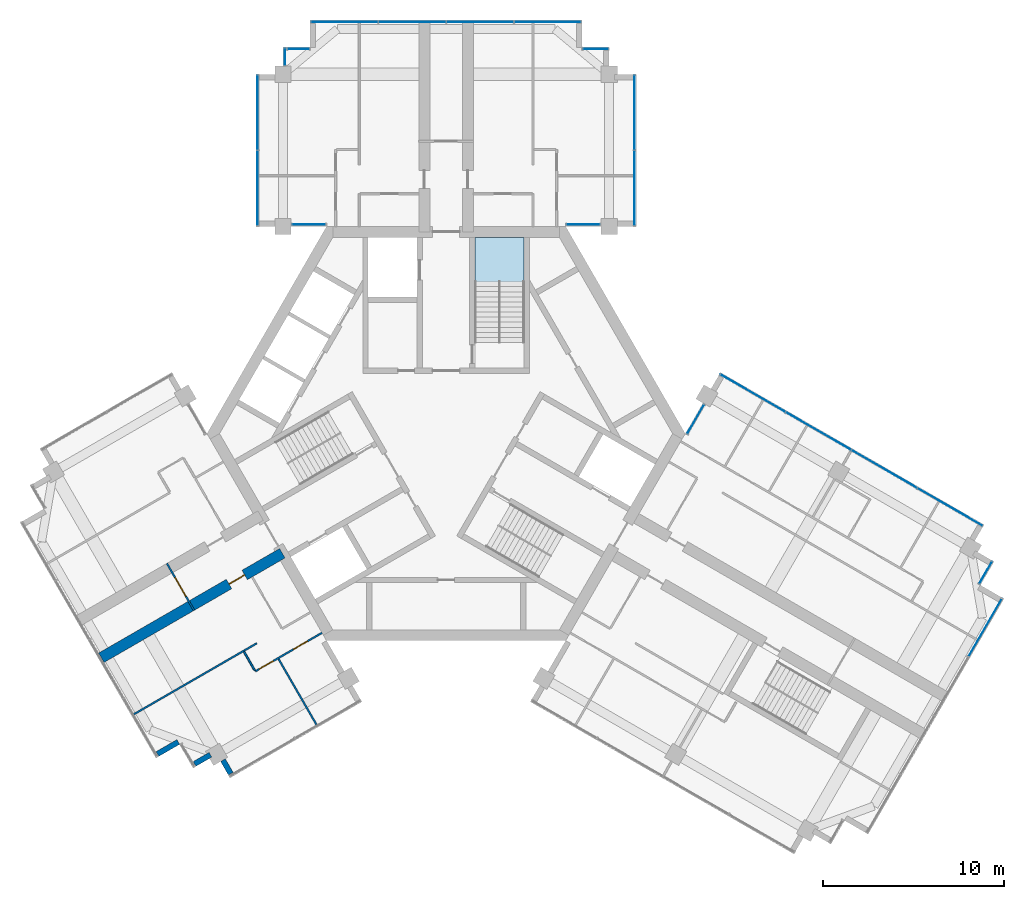
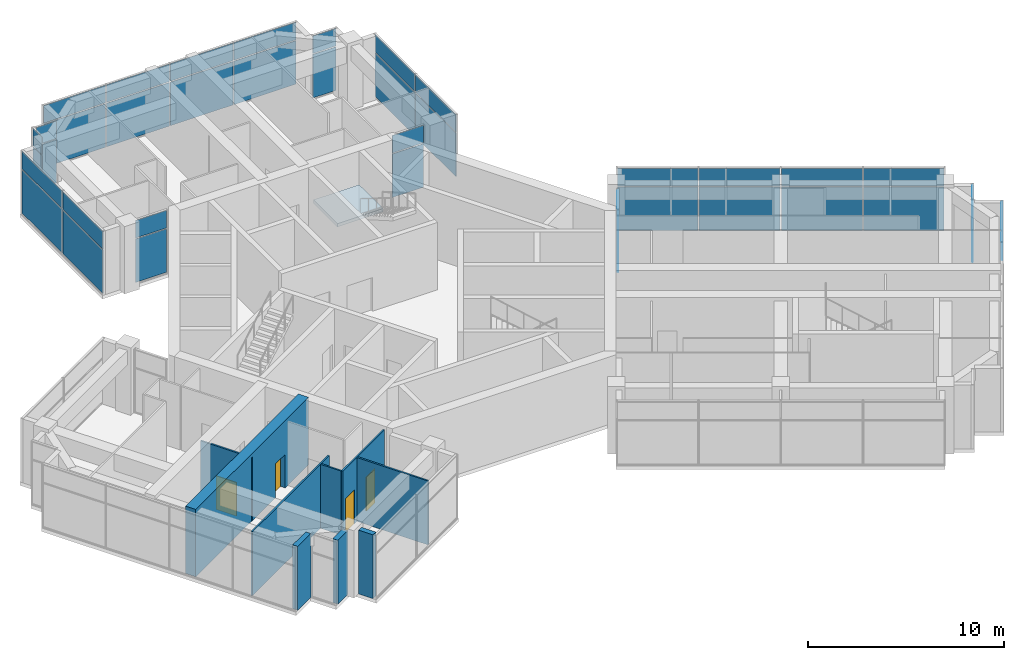
# One storey, part 8 of 13: 39 plates, 9 walls, 4 doors, 1 slab, 4 openings, 13 elements without a shape of their own.
"""IFC4 building model written with IfcOpenShell, lengths in metres."""

from ifc_helpers import new_model, si_unit, direction, frame, frame_2d, origin, origin_2d, place, context, subcontext, project, spatial, polyline, rectangle, outline, extrude, material, layer, layer_set, type_object, element, fill, aggregate, save


model = new_model("IFC4")

# Units and contexts
model_context = context("Model", 3, precision=1e-05, world=origin(), true_north=direction((0.0, 1.0)))
body_context = subcontext(model_context, "Body", "Model", "MODEL_VIEW")
ifc_project = project(units=[si_unit("LENGTHUNIT", "METRE"), si_unit("AREAUNIT", "SQUARE_METRE"), si_unit("VOLUMEUNIT", "CUBIC_METRE"), si_unit("PLANEANGLEUNIT", "RADIAN"), si_unit("MASSUNIT", "GRAM", prefix="KILO")], contexts=[model_context])

# Site, building, storey
site_placement = place(None, origin())
site = spatial("IfcSite", under=ifc_project, at=site_placement, CompositionType="ELEMENT")
building_placement = place(site_placement, origin())
building = spatial("IfcBuilding", under=site, at=building_placement, Name="Impinga Residences", CompositionType="ELEMENT")
storey_placement = place(building_placement, frame((0.0, 0.0, 287.35009765625)))
storey = spatial("IfcBuildingStorey", under=building, at=storey_placement, Name="L72", CompositionType="ELEMENT", Elevation=287.35009765625)

# Curtain wall, plates
ifc_material_1 = material(Name="Aluminium stick curtain wall", Category="aluminium")
curtain_wall_type = type_object("IfcCurtainWallType", Name="CW3 penthouse curtain wall", PredefinedType="USERDEFINED", material=ifc_material_1)
curtain_wall_1_placement = place(storey_placement, origin())
curtain_wall_1 = element("IfcCurtainWall", 1, at=curtain_wall_1_placement, inside=storey, type_object=curtain_wall_type, Name="Curtain wall CW3 L72", ObjectType="STICK CURTAIN WALL", PredefinedType="USERDEFINED")
ifc_material_2 = material(Name="Clear double glazing", Category="glass")
ifc_layer_1 = layer(ifc_material_2, 0.028076171875)
ifc_layer_set_1 = layer_set([ifc_layer_1], Name="CW3-P clear double glazed panel 28")
plate_type = type_object("IfcPlateType", Name="CW3-P clear double glazed panel 28", PredefinedType="CURTAIN_PANEL", material=ifc_layer_set_1)
plate_1_placement = place(storey_placement, frame((29.78662109375, -7.671142578125, 0.059814453125), z_axis=(0.0, 0.0, 1.0), x_axis=(-0.500000030502, -0.866025386174, 0.0)))
plate_1 = element("IfcPlate", 2, at=plate_1_placement, type_object=plate_type, Name="CW3 panel 1.1", PredefinedType="CURTAIN_PANEL", context=body_context, shape_type="SweptSolid", body=[
    extrude(rectangle(XDim=1.3798828125, YDim=0.028076171875, at=origin_2d()), origin(), (0.0, 0.0, 1.0), 2.7099609375),
])
plate_2_placement = place(storey_placement, frame((29.78662109375, -7.671142578125, 2.830078125), z_axis=(0.0, 0.0, 1.0), x_axis=(-0.500000030502, -0.866025386174, 0.0)))
plate_2 = element("IfcPlate", 3, at=plate_2_placement, type_object=plate_type, Name="CW3 panel 1.2", PredefinedType="CURTAIN_PANEL", context=body_context, shape_type="SweptSolid", body=[
    extrude(rectangle(XDim=1.3798828125, YDim=0.028076171875, at=origin_2d()), origin(), (0.0, 0.0, 1.0), 1.090087890625),
])
aggregate(curtain_wall_1, [plate_1, plate_2])

# Curtain wall, plate
curtain_wall_2_placement = place(storey_placement, origin())
curtain_wall_2 = element("IfcCurtainWall", 4, at=curtain_wall_2_placement, inside=storey, type_object=curtain_wall_type, Name="Curtain wall CW3 L72", ObjectType="STICK CURTAIN WALL", PredefinedType="USERDEFINED")
plate_3_placement = place(storey_placement, frame((29.765625, -10.707275390625, 2.830078125), z_axis=(0.0, 0.0, 1.0), x_axis=(-0.500000001632, -0.866025402842, 0.0)))
plate_3 = element("IfcPlate", 5, at=plate_3_placement, type_object=plate_type, Name="CW3 panel 1.2", PredefinedType="CURTAIN_PANEL", context=body_context, shape_type="SweptSolid", body=[
    extrude(rectangle(XDim=3.659912109375, YDim=0.028076171875, at=origin_2d()), origin(), (0.0, 0.0, 1.0), 1.090087890625),
])
aggregate(curtain_wall_2, [plate_3])

# Curtain wall, plates
curtain_wall_3_placement = place(storey_placement, origin())
curtain_wall_3 = element("IfcCurtainWall", 6, at=curtain_wall_3_placement, inside=storey, type_object=curtain_wall_type, Name="Curtain wall CW3 L72", ObjectType="STICK CURTAIN WALL", PredefinedType="USERDEFINED")
plate_4_placement = place(storey_placement, frame((-7.573486328125, 11.531494140625, 0.059814453125), z_axis=(0.0, 0.0, 1.0), x_axis=(-1.0, 0.0, 0.0)))
plate_4 = element("IfcPlate", 7, at=plate_4_placement, type_object=plate_type, Name="CW3 panel 1.1", PredefinedType="CURTAIN_PANEL", context=body_context, shape_type="SweptSolid", body=[
    extrude(rectangle(XDim=1.826904296875, YDim=0.028076171875, at=origin_2d()), origin(), (0.0, 0.0, 1.0), 2.7099609375),
])
plate_5_placement = place(storey_placement, frame((-7.573486328125, 11.531494140625, 2.830078125), z_axis=(0.0, 0.0, 1.0), x_axis=(-1.0, 0.0, 0.0)))
plate_5 = element("IfcPlate", 8, at=plate_5_placement, type_object=plate_type, Name="CW3 panel 1.2", PredefinedType="CURTAIN_PANEL", context=body_context, shape_type="SweptSolid", body=[
    extrude(rectangle(XDim=1.826904296875, YDim=0.028076171875, at=origin_2d()), origin(), (0.0, 0.0, 1.0), 1.090087890625),
])
aggregate(curtain_wall_3, [plate_4, plate_5])

curtain_wall_4_placement = place(storey_placement, origin())
curtain_wall_4 = element("IfcCurtainWall", 9, at=curtain_wall_4_placement, inside=storey, type_object=curtain_wall_type, Name="Curtain wall CW3 L72", ObjectType="STICK CURTAIN WALL", PredefinedType="USERDEFINED")
plate_6_placement = place(storey_placement, frame((-10.39990234375, 13.546630859375, 0.059814453125), z_axis=(0.0, 0.0, 1.0), x_axis=(0.0, 1.0, 0.0)))
plate_6 = element("IfcPlate", 10, at=plate_6_placement, type_object=plate_type, Name="CW3 panel 1.1", PredefinedType="CURTAIN_PANEL", context=body_context, shape_type="SweptSolid", body=[
    extrude(rectangle(XDim=4.110107421875, YDim=0.028076171875, at=origin_2d()), origin(), (0.0, 0.0, 1.0), 2.7099609375),
])
plate_7_placement = place(storey_placement, frame((-10.39990234375, 13.546630859375, 2.830078125), z_axis=(0.0, 0.0, 1.0), x_axis=(0.0, 1.0, 0.0)))
plate_7 = element("IfcPlate", 11, at=plate_7_placement, type_object=plate_type, Name="CW3 panel 1.2", PredefinedType="CURTAIN_PANEL", context=body_context, shape_type="SweptSolid", body=[
    extrude(rectangle(XDim=4.110107421875, YDim=0.028076171875, at=origin_2d()), origin(), (0.0, 0.0, 1.0), 1.090087890625),
])
plate_8_placement = place(storey_placement, frame((-10.39990234375, 17.716552734375, 0.059814453125), z_axis=(0.0, 0.0, 1.0), x_axis=(0.0, 1.0, 0.0)))
plate_8 = element("IfcPlate", 12, at=plate_8_placement, type_object=plate_type, Name="CW3 panel 2.1", PredefinedType="CURTAIN_PANEL", context=body_context, shape_type="SweptSolid", body=[
    extrude(rectangle(XDim=4.110107421875, YDim=0.028076171875, at=origin_2d()), origin(), (0.0, 0.0, 1.0), 2.7099609375),
])
plate_9_placement = place(storey_placement, frame((-10.39990234375, 17.716552734375, 2.830078125), z_axis=(0.0, 0.0, 1.0), x_axis=(0.0, 1.0, 0.0)))
plate_9 = element("IfcPlate", 13, at=plate_9_placement, type_object=plate_type, Name="CW3 panel 2.2", PredefinedType="CURTAIN_PANEL", context=body_context, shape_type="SweptSolid", body=[
    extrude(rectangle(XDim=4.110107421875, YDim=0.028076171875, at=origin_2d()), origin(), (0.0, 0.0, 1.0), 1.090087890625),
])
aggregate(curtain_wall_4, [plate_6, plate_7, plate_8, plate_9])

curtain_wall_5_placement = place(storey_placement, origin())
curtain_wall_5 = element("IfcCurtainWall", 14, at=curtain_wall_5_placement, inside=storey, type_object=curtain_wall_type, Name="Curtain wall CW3 L72", ObjectType="STICK CURTAIN WALL", PredefinedType="USERDEFINED")
plate_10_placement = place(storey_placement, frame((-8.89990234375, 20.80810546875, 0.059814453125), z_axis=(0.0, 0.0, 1.0), x_axis=(0.0, 1.0, 0.0)))
plate_10 = element("IfcPlate", 15, at=plate_10_placement, type_object=plate_type, Name="CW3 panel 1.1", PredefinedType="CURTAIN_PANEL", context=body_context, shape_type="SweptSolid", body=[
    extrude(rectangle(XDim=0.927001953125, YDim=0.028076171875, at=origin_2d()), origin(), (0.0, 0.0, 1.0), 2.7099609375),
])
plate_11_placement = place(storey_placement, frame((-8.89990234375, 20.80810546875, 2.830078125), z_axis=(0.0, 0.0, 1.0), x_axis=(0.0, 1.0, 0.0)))
plate_11 = element("IfcPlate", 16, at=plate_11_placement, type_object=plate_type, Name="CW3 panel 1.2", PredefinedType="CURTAIN_PANEL", context=body_context, shape_type="SweptSolid", body=[
    extrude(rectangle(XDim=0.927001953125, YDim=0.028076171875, at=origin_2d()), origin(), (0.0, 0.0, 1.0), 1.090087890625),
])
aggregate(curtain_wall_5, [plate_10, plate_11])

curtain_wall_6_placement = place(storey_placement, origin())
curtain_wall_6 = element("IfcCurtainWall", 17, at=curtain_wall_6_placement, inside=storey, type_object=curtain_wall_type, Name="Curtain wall CW3 L72", ObjectType="STICK CURTAIN WALL", PredefinedType="USERDEFINED")
plate_12_placement = place(storey_placement, frame((-8.14990234375, 21.2314453125, 0.059814453125), z_axis=(0.0, 0.0, 1.0), x_axis=(1.0, 0.0, 0.0)))
plate_12 = element("IfcPlate", 18, at=plate_12_placement, type_object=plate_type, Name="CW3 panel 1.1", PredefinedType="CURTAIN_PANEL", context=body_context, shape_type="SweptSolid", body=[
    extrude(rectangle(XDim=1.179931640625, YDim=0.028076171875, at=origin_2d()), origin(), (0.0, 0.0, 1.0), 2.7099609375),
])
plate_13_placement = place(storey_placement, frame((-8.14990234375, 21.2314453125, 2.830078125), z_axis=(0.0, 0.0, 1.0), x_axis=(1.0, 0.0, 0.0)))
plate_13 = element("IfcPlate", 19, at=plate_13_placement, type_object=plate_type, Name="CW3 panel 1.2", PredefinedType="CURTAIN_PANEL", context=body_context, shape_type="SweptSolid", body=[
    extrude(rectangle(XDim=1.179931640625, YDim=0.028076171875, at=origin_2d()), origin(), (0.0, 0.0, 1.0), 1.090087890625),
])
aggregate(curtain_wall_6, [plate_12, plate_13])

curtain_wall_7_placement = place(storey_placement, origin())
curtain_wall_7 = element("IfcCurtainWall", 20, at=curtain_wall_7_placement, inside=storey, type_object=curtain_wall_type, Name="Curtain wall CW3 L72", ObjectType="STICK CURTAIN WALL", PredefinedType="USERDEFINED")
plate_14_placement = place(storey_placement, frame((-5.610107421875, 22.7314453125, 0.059814453125), z_axis=(0.0, 0.0, 1.0), x_axis=(1.0, 0.0, 0.0)))
plate_14 = element("IfcPlate", 21, at=plate_14_placement, type_object=plate_type, Name="CW3 panel 1.1", PredefinedType="CURTAIN_PANEL", context=body_context, shape_type="SweptSolid", body=[
    extrude(rectangle(XDim=3.659912109375, YDim=0.028076171875, at=origin_2d()), origin(), (0.0, 0.0, 1.0), 2.7099609375),
])
plate_15_placement = place(storey_placement, frame((-5.610107421875, 22.7314453125, 2.830078125), z_axis=(0.0, 0.0, 1.0), x_axis=(1.0, 0.0, 0.0)))
plate_15 = element("IfcPlate", 22, at=plate_15_placement, type_object=plate_type, Name="CW3 panel 1.2", PredefinedType="CURTAIN_PANEL", context=body_context, shape_type="SweptSolid", body=[
    extrude(rectangle(XDim=3.659912109375, YDim=0.028076171875, at=origin_2d()), origin(), (0.0, 0.0, 1.0), 1.090087890625),
])
plate_16_placement = place(storey_placement, frame((-1.875, 22.7314453125, 0.059814453125), z_axis=(0.0, 0.0, 1.0), x_axis=(1.0, 0.0, 0.0)))
plate_16 = element("IfcPlate", 23, at=plate_16_placement, type_object=plate_type, Name="CW3 panel 2.1", PredefinedType="CURTAIN_PANEL", context=body_context, shape_type="SweptSolid", body=[
    extrude(rectangle(XDim=3.68994140625, YDim=0.028076171875, at=origin_2d()), origin(), (0.0, 0.0, 1.0), 2.7099609375),
])
plate_17_placement = place(storey_placement, frame((-1.875, 22.7314453125, 2.830078125), z_axis=(0.0, 0.0, 1.0), x_axis=(1.0, 0.0, 0.0)))
plate_17 = element("IfcPlate", 24, at=plate_17_placement, type_object=plate_type, Name="CW3 panel 2.2", PredefinedType="CURTAIN_PANEL", context=body_context, shape_type="SweptSolid", body=[
    extrude(rectangle(XDim=3.68994140625, YDim=0.028076171875, at=origin_2d()), origin(), (0.0, 0.0, 1.0), 1.090087890625),
])
plate_18_placement = place(storey_placement, frame((1.875, 22.7314453125, 0.059814453125), z_axis=(0.0, 0.0, 1.0), x_axis=(1.0, 0.0, 0.0)))
plate_18 = element("IfcPlate", 25, at=plate_18_placement, type_object=plate_type, Name="CW3 panel 3.1", PredefinedType="CURTAIN_PANEL", context=body_context, shape_type="SweptSolid", body=[
    extrude(rectangle(XDim=3.68994140625, YDim=0.028076171875, at=origin_2d()), origin(), (0.0, 0.0, 1.0), 2.7099609375),
])
plate_19_placement = place(storey_placement, frame((1.875, 22.7314453125, 2.830078125), z_axis=(0.0, 0.0, 1.0), x_axis=(1.0, 0.0, 0.0)))
plate_19 = element("IfcPlate", 26, at=plate_19_placement, type_object=plate_type, Name="CW3 panel 3.2", PredefinedType="CURTAIN_PANEL", context=body_context, shape_type="SweptSolid", body=[
    extrude(rectangle(XDim=3.68994140625, YDim=0.028076171875, at=origin_2d()), origin(), (0.0, 0.0, 1.0), 1.090087890625),
])
plate_20_placement = place(storey_placement, frame((5.610107421875, 22.7314453125, 0.059814453125), z_axis=(0.0, 0.0, 1.0), x_axis=(1.0, 0.0, 0.0)))
plate_20 = element("IfcPlate", 27, at=plate_20_placement, type_object=plate_type, Name="CW3 panel 4.1", PredefinedType="CURTAIN_PANEL", context=body_context, shape_type="SweptSolid", body=[
    extrude(rectangle(XDim=3.659912109375, YDim=0.028076171875, at=origin_2d()), origin(), (0.0, 0.0, 1.0), 2.7099609375),
])
plate_21_placement = place(storey_placement, frame((5.610107421875, 22.7314453125, 2.830078125), z_axis=(0.0, 0.0, 1.0), x_axis=(1.0, 0.0, 0.0)))
plate_21 = element("IfcPlate", 28, at=plate_21_placement, type_object=plate_type, Name="CW3 panel 4.2", PredefinedType="CURTAIN_PANEL", context=body_context, shape_type="SweptSolid", body=[
    extrude(rectangle(XDim=3.659912109375, YDim=0.028076171875, at=origin_2d()), origin(), (0.0, 0.0, 1.0), 1.090087890625),
])
aggregate(curtain_wall_7, [plate_14, plate_15, plate_16, plate_17, plate_18, plate_19, plate_20, plate_21])

curtain_wall_8_placement = place(storey_placement, origin())
curtain_wall_8 = element("IfcCurtainWall", 29, at=curtain_wall_8_placement, inside=storey, type_object=curtain_wall_type, Name="Curtain wall CW3 L72", ObjectType="STICK CURTAIN WALL", PredefinedType="USERDEFINED")
plate_22_placement = place(storey_placement, frame((8.25, 21.2314453125, 0.059814453125), z_axis=(0.0, 0.0, 1.0), x_axis=(1.0, 0.0, 0.0)))
plate_22 = element("IfcPlate", 30, at=plate_22_placement, type_object=plate_type, Name="CW3 panel 1.1", PredefinedType="CURTAIN_PANEL", context=body_context, shape_type="SweptSolid", body=[
    extrude(rectangle(XDim=1.3798828125, YDim=0.028076171875, at=origin_2d()), origin(), (0.0, 0.0, 1.0), 2.7099609375),
])
plate_23_placement = place(storey_placement, frame((8.25, 21.2314453125, 2.830078125), z_axis=(0.0, 0.0, 1.0), x_axis=(1.0, 0.0, 0.0)))
plate_23 = element("IfcPlate", 31, at=plate_23_placement, type_object=plate_type, Name="CW3 panel 1.2", PredefinedType="CURTAIN_PANEL", context=body_context, shape_type="SweptSolid", body=[
    extrude(rectangle(XDim=1.3798828125, YDim=0.028076171875, at=origin_2d()), origin(), (0.0, 0.0, 1.0), 1.090087890625),
])
aggregate(curtain_wall_8, [plate_22, plate_23])

curtain_wall_9_placement = place(storey_placement, origin())
curtain_wall_9 = element("IfcCurtainWall", 32, at=curtain_wall_9_placement, inside=storey, type_object=curtain_wall_type, Name="Curtain wall CW3 L72", ObjectType="STICK CURTAIN WALL", PredefinedType="USERDEFINED")
plate_24_placement = place(storey_placement, frame((10.39990234375, 17.716552734375, 0.059814453125), z_axis=(0.0, 0.0, 1.0), x_axis=(0.0, -1.0, 0.0)))
plate_24 = element("IfcPlate", 33, at=plate_24_placement, type_object=plate_type, Name="CW3 panel 1.1", PredefinedType="CURTAIN_PANEL", context=body_context, shape_type="SweptSolid", body=[
    extrude(rectangle(XDim=4.110107421875, YDim=0.028076171875, at=origin_2d()), origin(), (0.0, 0.0, 1.0), 2.7099609375),
])
plate_25_placement = place(storey_placement, frame((10.39990234375, 17.716552734375, 2.830078125), z_axis=(0.0, 0.0, 1.0), x_axis=(0.0, -1.0, 0.0)))
plate_25 = element("IfcPlate", 34, at=plate_25_placement, type_object=plate_type, Name="CW3 panel 1.2", PredefinedType="CURTAIN_PANEL", context=body_context, shape_type="SweptSolid", body=[
    extrude(rectangle(XDim=4.110107421875, YDim=0.028076171875, at=origin_2d()), origin(), (0.0, 0.0, 1.0), 1.090087890625),
])
plate_26_placement = place(storey_placement, frame((10.39990234375, 13.546630859375, 0.059814453125), z_axis=(0.0, 0.0, 1.0), x_axis=(0.0, -1.0, 0.0)))
plate_26 = element("IfcPlate", 35, at=plate_26_placement, type_object=plate_type, Name="CW3 panel 2.1", PredefinedType="CURTAIN_PANEL", context=body_context, shape_type="SweptSolid", body=[
    extrude(rectangle(XDim=4.110107421875, YDim=0.028076171875, at=origin_2d()), origin(), (0.0, 0.0, 1.0), 2.7099609375),
])
plate_27_placement = place(storey_placement, frame((10.39990234375, 13.546630859375, 2.830078125), z_axis=(0.0, 0.0, 1.0), x_axis=(0.0, -1.0, 0.0)))
plate_27 = element("IfcPlate", 36, at=plate_27_placement, type_object=plate_type, Name="CW3 panel 2.2", PredefinedType="CURTAIN_PANEL", context=body_context, shape_type="SweptSolid", body=[
    extrude(rectangle(XDim=4.110107421875, YDim=0.028076171875, at=origin_2d()), origin(), (0.0, 0.0, 1.0), 1.090087890625),
])
aggregate(curtain_wall_9, [plate_24, plate_25, plate_26, plate_27])

curtain_wall_10_placement = place(storey_placement, origin())
curtain_wall_10 = element("IfcCurtainWall", 37, at=curtain_wall_10_placement, inside=storey, type_object=curtain_wall_type, Name="Curtain wall CW3 L72", ObjectType="STICK CURTAIN WALL", PredefinedType="USERDEFINED")
plate_28_placement = place(storey_placement, frame((7.573486328125, 11.531494140625, 0.059814453125), z_axis=(0.0, 0.0, 1.0), x_axis=(-1.0, 0.0, 0.0)))
plate_28 = element("IfcPlate", 38, at=plate_28_placement, type_object=plate_type, Name="CW3 panel 1.1", PredefinedType="CURTAIN_PANEL", context=body_context, shape_type="SweptSolid", body=[
    extrude(rectangle(XDim=1.826904296875, YDim=0.028076171875, at=origin_2d()), origin(), (0.0, 0.0, 1.0), 2.7099609375),
])
plate_29_placement = place(storey_placement, frame((7.573486328125, 11.531494140625, 2.830078125), z_axis=(0.0, 0.0, 1.0), x_axis=(-1.0, 0.0, 0.0)))
plate_29 = element("IfcPlate", 39, at=plate_29_placement, type_object=plate_type, Name="CW3 panel 1.2", PredefinedType="CURTAIN_PANEL", context=body_context, shape_type="SweptSolid", body=[
    extrude(rectangle(XDim=1.826904296875, YDim=0.028076171875, at=origin_2d()), origin(), (0.0, 0.0, 1.0), 1.090087890625),
])
aggregate(curtain_wall_10, [plate_28, plate_29])

curtain_wall_11_placement = place(storey_placement, origin())
curtain_wall_11 = element("IfcCurtainWall", 40, at=curtain_wall_11_placement, inside=storey, type_object=curtain_wall_type, Name="Curtain wall CW3 L72", ObjectType="STICK CURTAIN WALL", PredefinedType="USERDEFINED")
plate_30_placement = place(storey_placement, frame((13.7734375, 0.79296875, 0.059814453125), z_axis=(0.0, 0.0, 1.0), x_axis=(0.50000010257, 0.866025344565, 0.0)))
plate_30 = element("IfcPlate", 41, at=plate_30_placement, type_object=plate_type, Name="CW3 panel 1.1", PredefinedType="CURTAIN_PANEL", context=body_context, shape_type="SweptSolid", body=[
    extrude(rectangle(XDim=1.826904296875, YDim=0.028076171875, at=origin_2d()), origin(), (0.0, 0.0, 1.0), 2.7099609375),
])
plate_31_placement = place(storey_placement, frame((13.7734375, 0.79296875, 2.830078125), z_axis=(0.0, 0.0, 1.0), x_axis=(0.50000010257, 0.866025344565, 0.0)))
plate_31 = element("IfcPlate", 42, at=plate_31_placement, type_object=plate_type, Name="CW3 panel 1.2", PredefinedType="CURTAIN_PANEL", context=body_context, shape_type="SweptSolid", body=[
    extrude(rectangle(XDim=1.826904296875, YDim=0.028076171875, at=origin_2d()), origin(), (0.0, 0.0, 1.0), 1.090087890625),
])
aggregate(curtain_wall_11, [plate_30, plate_31])

curtain_wall_12_placement = place(storey_placement, origin())
curtain_wall_12 = element("IfcCurtainWall", 43, at=curtain_wall_12_placement, inside=storey, type_object=curtain_wall_type, Name="Curtain wall CW3 L72", ObjectType="STICK CURTAIN WALL", PredefinedType="USERDEFINED")
plate_32_placement = place(storey_placement, frame((16.931640625, 2.2333984375, 0.059814453125), z_axis=(0.0, 0.0, 1.0), x_axis=(0.866025407005, -0.499999994423, 0.0)))
plate_32 = element("IfcPlate", 44, at=plate_32_placement, type_object=plate_type, Name="CW3 panel 1.1", PredefinedType="CURTAIN_PANEL", context=body_context, shape_type="SweptSolid", body=[
    extrude(rectangle(XDim=4.110107421875, YDim=0.028076171875, at=origin_2d()), origin(), (0.0, 0.0, 1.0), 2.7099609375),
])
plate_33_placement = place(storey_placement, frame((16.931640625, 2.2333984375, 2.830078125), z_axis=(0.0, 0.0, 1.0), x_axis=(0.866025407005, -0.499999994423, 0.0)))
plate_33 = element("IfcPlate", 45, at=plate_33_placement, type_object=plate_type, Name="CW3 panel 1.2", PredefinedType="CURTAIN_PANEL", context=body_context, shape_type="SweptSolid", body=[
    extrude(rectangle(XDim=4.110107421875, YDim=0.028076171875, at=origin_2d()), origin(), (0.0, 0.0, 1.0), 1.090087890625),
])
plate_34_placement = place(storey_placement, frame((20.555908203125, 0.140869140625, 0.059814453125), z_axis=(0.0, 0.0, 1.0), x_axis=(0.866025407005, -0.499999994423, 0.0)))
plate_34 = element("IfcPlate", 46, at=plate_34_placement, type_object=plate_type, Name="CW3 panel 2.1", PredefinedType="CURTAIN_PANEL", context=body_context, shape_type="SweptSolid", body=[
    extrude(rectangle(XDim=4.139892578125, YDim=0.028076171875, at=origin_2d()), origin(), (0.0, 0.0, 1.0), 2.7099609375),
])
plate_35_placement = place(storey_placement, frame((20.555908203125, 0.140869140625, 2.830078125), z_axis=(0.0, 0.0, 1.0), x_axis=(0.866025407005, -0.499999994423, 0.0)))
plate_35 = element("IfcPlate", 47, at=plate_35_placement, type_object=plate_type, Name="CW3 panel 2.2", PredefinedType="CURTAIN_PANEL", context=body_context, shape_type="SweptSolid", body=[
    extrude(rectangle(XDim=4.139892578125, YDim=0.028076171875, at=origin_2d()), origin(), (0.0, 0.0, 1.0), 1.090087890625),
])
plate_36_placement = place(storey_placement, frame((24.193359375, -1.958984375, 0.059814453125), z_axis=(0.0, 0.0, 1.0), x_axis=(0.866025407005, -0.499999994423, 0.0)))
plate_36 = element("IfcPlate", 48, at=plate_36_placement, type_object=plate_type, Name="CW3 panel 3.1", PredefinedType="CURTAIN_PANEL", context=body_context, shape_type="SweptSolid", body=[
    extrude(rectangle(XDim=4.139892578125, YDim=0.028076171875, at=origin_2d()), origin(), (0.0, 0.0, 1.0), 2.7099609375),
])
plate_37_placement = place(storey_placement, frame((24.193359375, -1.958984375, 2.830078125), z_axis=(0.0, 0.0, 1.0), x_axis=(0.866025407005, -0.499999994423, 0.0)))
plate_37 = element("IfcPlate", 49, at=plate_37_placement, type_object=plate_type, Name="CW3 panel 3.2", PredefinedType="CURTAIN_PANEL", context=body_context, shape_type="SweptSolid", body=[
    extrude(rectangle(XDim=4.139892578125, YDim=0.028076171875, at=origin_2d()), origin(), (0.0, 0.0, 1.0), 1.090087890625),
])
plate_38_placement = place(storey_placement, frame((27.817626953125, -4.051513671875, 0.059814453125), z_axis=(0.0, 0.0, 1.0), x_axis=(0.866025407005, -0.499999994423, 0.0)))
plate_38 = element("IfcPlate", 50, at=plate_38_placement, type_object=plate_type, Name="CW3 panel 4.1", PredefinedType="CURTAIN_PANEL", context=body_context, shape_type="SweptSolid", body=[
    extrude(rectangle(XDim=4.110107421875, YDim=0.028076171875, at=origin_2d()), origin(), (0.0, 0.0, 1.0), 2.7099609375),
])
plate_39_placement = place(storey_placement, frame((27.817626953125, -4.051513671875, 2.830078125), z_axis=(0.0, 0.0, 1.0), x_axis=(0.866025407005, -0.499999994423, 0.0)))
plate_39 = element("IfcPlate", 51, at=plate_39_placement, type_object=plate_type, Name="CW3 panel 4.2", PredefinedType="CURTAIN_PANEL", context=body_context, shape_type="SweptSolid", body=[
    extrude(rectangle(XDim=4.110107421875, YDim=0.028076171875, at=origin_2d()), origin(), (0.0, 0.0, 1.0), 1.090087890625),
])
aggregate(curtain_wall_12, [plate_32, plate_33, plate_34, plate_35, plate_36, plate_37, plate_38, plate_39])

# Stair, slab
ifc_material_3 = material(Name="Concrete C40/50", Category="concrete")
stair_type = type_object("IfcStairType", Name="STR core stair 4200 storey, 26 risers", PredefinedType="HALF_TURN_STAIR", material=ifc_material_3)
stair_placement = place(storey_placement, origin())
stair = element("IfcStair", 52, at=stair_placement, inside=storey, type_object=stair_type, Name="Stair ST1 L72", PredefinedType="HALF_TURN_STAIR")
ifc_layer_2 = layer(ifc_material_3, 0.199951171875)
ifc_layer_set_2 = layer_set([ifc_layer_2], Name="Concrete C40/50")
slab_type = type_object("IfcSlabType", Name="LS1 stair landing 200", PredefinedType="LANDING", material=ifc_layer_set_2)
slab_placement = place(storey_placement, frame((0.0, 0.0, 1.89990234375)))
slab = element("IfcSlab", 53, at=slab_placement, type_object=slab_type, Name="ST1 landing 2", PredefinedType="LANDING", context=body_context, shape_type="SweptSolid", body=[
    extrude(outline(polyline([(1.60009765625, 8.3798828125), (4.300048828125, 8.3798828125), (4.300048828125, 10.83154296875), (1.60009765625, 10.83154296875), (1.60009765625, 8.3798828125)])), origin(), (0.0, 0.0, 1.0), 0.199951171875),
])
aggregate(stair, [slab])

# Wall, opening, door
ifc_material_4 = material(Name="Concrete C60/75", Category="concrete")
ifc_layer_3 = layer(ifc_material_4, 0.60009765625)
ifc_layer_set_3 = layer_set([ifc_layer_3], Name="Concrete C60/75")
wall_type_1 = type_object("IfcWallType", Name="BW3 corridor buttress wall, L46 to L73 600", PredefinedType="SHEAR", material=ifc_layer_set_3)
wall_1_placement = place(storey_placement, frame((-9.040283203125, -6.60498046875, 0.0), z_axis=(0.0, 0.0, 1.0), x_axis=(-0.866023496323, -0.500003303805, 0.0)))
wall_1 = element("IfcWall", 54, at=wall_1_placement, inside=storey, type_object=wall_type_1, Name="Corridor wall BW3 WC L72", PredefinedType="SHEAR", context=body_context, shape_type="SweptSolid", body=[
    extrude(rectangle(XDim=11.5380859375, YDim=0.60009765625, at=frame_2d((5.76904296875, 0.0))), origin(), (0.0, 0.0, 1.0), 4.199951171875),
])
opening_1_placement = place(wall_1_placement, frame((2.39990234375, 0.0, 0.0)))
opening_1 = element("IfcOpeningElement", 55, at=opening_1_placement, cuts=wall_1, Name="Opening D1", PredefinedType="OPENING", context=body_context, shape_type="SweptSolid", body=[
    extrude(rectangle(XDim=1.0, YDim=2.10009765625, at=frame_2d((0.5, 1.050048828125))), frame((0.0, 0.31005859375, 0.0), z_axis=(0.0, -1.0, 0.0), x_axis=(1.0, 0.0, 0.0)), (0.0, 0.0, 1.0), 0.6201171875),
])
ifc_material_5 = material(Name="Timber door set", Category="wood")
door_type_1 = type_object("IfcDoorType", Name="D1 apartment entrance door 1000x2100", OperationType="SINGLE_SWING_LEFT", PredefinedType="DOOR", material=ifc_material_5)
door_1_placement = place(opening_1_placement, origin())
door_1 = element("IfcDoor", 56, at=door_1_placement, inside=storey, type_object=door_type_1, Name="Apartment L72-WA1 entrance", OperationType="SINGLE_SWING_LEFT", OverallHeight=2.10009765625, OverallWidth=1.0, PredefinedType="DOOR", context=body_context, shape_type="SweptSolid", body=[
    extrude(rectangle(XDim=1.0, YDim=2.10009765625, at=frame_2d((0.5, 1.050048828125))), frame((0.0, 0.02490234375, 0.0), z_axis=(0.0, -1.0, 0.0), x_axis=(1.0, 0.0, 0.0)), (0.0, 0.0, 1.0), 0.050048828125),
])
fill(opening_1, door_1)

ifc_material_6 = material(Name="Concrete blockwork", Category="masonry")
ifc_layer_4 = layer(ifc_material_6, 0.10009765625)
ifc_layer_set_4 = layer_set([ifc_layer_4], Name="CP1 core room partition, blockwork 100")
wall_type_2 = type_object("IfcWallType", Name="CP1 core room partition, blockwork 100", PredefinedType="PARTITIONING", material=ifc_layer_set_4)
wall_2_placement = place(storey_placement, frame((-13.9130859375, -9.764892578125, 0.0), z_axis=(0.0, 0.0, 1.0), x_axis=(-0.499990139034, 0.866031096941, 0.0)))
wall_2 = element("IfcWall", 57, at=wall_2_placement, inside=storey, type_object=wall_type_2, Name="Core room partition, blockwork L72:W:LNG", PredefinedType="PARTITIONING", context=body_context, shape_type="SweptSolid", body=[
    extrude(rectangle(XDim=3.0, YDim=0.10009765625, at=frame_2d((1.5, 0.0))), origin(), (0.0, 0.0, 1.0), 3.97998046875),
])
opening_2_placement = place(wall_2_placement, frame((0.89990234375, 0.0, 0.0)))
opening_2 = element("IfcOpeningElement", 58, at=opening_2_placement, cuts=wall_2, Name="Opening D3", PredefinedType="OPENING", context=body_context, shape_type="SweptSolid", body=[
    extrude(rectangle(XDim=1.199951171875, YDim=2.10009765625, at=frame_2d((0.60009765625, 1.050048828125))), frame((0.0, 0.06005859375, 0.0), z_axis=(0.0, -1.0, 0.0), x_axis=(1.0, 0.0, 0.0)), (0.0, 0.0, 1.0), 0.1201171875),
])
door_type_2 = type_object("IfcDoorType", Name="D3 room door, leaf and a half 1200x2100", OperationType="DOUBLE_SWING_LEFT", PredefinedType="DOOR", material=ifc_material_5)
door_2_placement = place(opening_2_placement, origin())
door_2 = element("IfcDoor", 59, at=door_2_placement, inside=storey, type_object=door_type_2, Name="Residents' lounge door W", OperationType="DOUBLE_SWING_LEFT", OverallHeight=2.10009765625, OverallWidth=1.199951171875, PredefinedType="DOOR", context=body_context, shape_type="SweptSolid", body=[
    extrude(rectangle(XDim=1.199951171875, YDim=2.10009765625, at=frame_2d((0.60009765625, 1.050048828125))), frame((0.0, 0.02490234375, 0.0), z_axis=(0.0, -1.0, 0.0), x_axis=(1.0, 0.0, 0.0)), (0.0, 0.0, 1.0), 0.050048828125),
])
fill(opening_2, door_2)

# Walls
ifc_material_7 = material(Name="Stone facing on blockwork", Category="masonry")
ifc_layer_5 = layer(ifc_material_7, 0.300048828125)
ifc_layer_set_5 = layer_set([ifc_layer_5], Name="EW2 external wall, stone facing on blockwork 300")
wall_type_3 = type_object("IfcWallType", Name="EW2 external wall, stone facing on blockwork 300", PredefinedType="SOLIDWALL", material=ifc_layer_set_5)
wall_3_placement = place(storey_placement, frame((-11.88720703125, -18.77392578125, 0.0), z_axis=(0.0, 0.0, 1.0), x_axis=(-0.499885902046, 0.866091268248, 0.0)))
element("IfcWall", 60, at=wall_3_placement, inside=storey, type_object=wall_type_3, Name="External wall EW2 L72", PredefinedType="SOLIDWALL", context=body_context, shape_type="SweptSolid", body=[
    extrude(rectangle(XDim=0.862060546875, YDim=0.300048828125, at=frame_2d((0.43115234375, 0.0))), origin(), (0.0, 0.0, 1.0), 3.97998046875),
])
wall_4_placement = place(storey_placement, frame((-13.009521484375, -17.72998046875, 0.0), z_axis=(0.0, 0.0, 1.0), x_axis=(-0.865969252911, -0.500097243556, 0.0)))
element("IfcWall", 61, at=wall_4_placement, inside=storey, type_object=wall_type_3, Name="External wall EW2 L72", PredefinedType="SOLIDWALL", context=body_context, shape_type="SweptSolid", body=[
    extrude(rectangle(XDim=1.014892578125, YDim=0.300048828125, at=frame_2d((0.50732421875, 0.0))), origin(), (0.0, 0.0, 1.0), 3.97998046875),
])
wall_5_placement = place(storey_placement, frame((-14.78564453125, -17.0234375, 0.0), z_axis=(0.0, 0.0, 1.0), x_axis=(-0.866020521143, -0.500008456887, 0.0)))
element("IfcWall", 62, at=wall_5_placement, inside=storey, type_object=wall_type_3, Name="External wall EW2 L72", PredefinedType="SOLIDWALL", context=body_context, shape_type="SweptSolid", body=[
    extrude(rectangle(XDim=1.330078125, YDim=0.300048828125, at=frame_2d((0.6650390625, 0.0))), origin(), (0.0, 0.0, 1.0), 3.97998046875),
])
ifc_material_8 = material(Name="Gypsum board on steel studs", Category="steel")
ifc_layer_6 = layer(ifc_material_8, 0.10009765625)
ifc_layer_set_6 = layer_set([ifc_layer_6], Name="Gypsum board on steel studs")
wall_type_4 = type_object("IfcWallType", Name="IP1 partition 100", PredefinedType="PARTITIONING", material=ifc_layer_set_6)
wall_6_placement = place(storey_placement, frame((-10.444580078125, -11.57275390625, 0.0), z_axis=(0.0, 0.0, 1.0), x_axis=(-0.866022168049, -0.500005604417, 0.0)))
element("IfcWall", 63, at=wall_6_placement, inside=storey, type_object=wall_type_4, Name="Partition L72-WA1:DIV1", PredefinedType="PARTITIONING", context=body_context, shape_type="SweptSolid", body=[
    extrude(rectangle(XDim=7.8369140625, YDim=0.10009765625, at=frame_2d((3.91845703125, 0.0))), origin(), (0.0, 0.0, 1.0), 3.97998046875),
])

# Wall, openings, doors
wall_7_placement = place(storey_placement, frame((-6.85009765625, -10.99853515625, 0.0), z_axis=(0.0, 0.0, 1.0), x_axis=(-0.866014341725, -0.50001915956, 0.0)))
wall_7 = element("IfcWall", 64, at=wall_7_placement, inside=storey, type_object=wall_type_4, Name="Partition L72-WA1:STRIP", PredefinedType="PARTITIONING", context=body_context, shape_type="SweptSolid", body=[
    extrude(rectangle(XDim=4.249755859375, YDim=0.10009765625, at=frame_2d((2.125, 0.0))), origin(), (0.0, 0.0, 1.0), 3.97998046875),
])
opening_3_placement = place(wall_7_placement, frame((0.925048828125, 0.0, 0.0)))
opening_3 = element("IfcOpeningElement", 65, at=opening_3_placement, cuts=wall_7, Name="Opening D2", PredefinedType="OPENING", context=body_context, shape_type="SweptSolid", body=[
    extrude(rectangle(XDim=0.89990234375, YDim=2.10009765625, at=frame_2d((0.449951171875, 1.050048828125))), frame((0.0, 0.06005859375, 0.0), z_axis=(0.0, -1.0, 0.0), x_axis=(1.0, 0.0, 0.0)), (0.0, 0.0, 1.0), 0.1201171875),
])
opening_4_placement = place(wall_7_placement, frame((3.10009765625, 0.0, 0.0)))
opening_4 = element("IfcOpeningElement", 66, at=opening_4_placement, cuts=wall_7, Name="Opening D2", PredefinedType="OPENING", context=body_context, shape_type="SweptSolid", body=[
    extrude(rectangle(XDim=0.89990234375, YDim=2.10009765625, at=frame_2d((0.449951171875, 1.050048828125))), frame((0.0, 0.06005859375, 0.0), z_axis=(0.0, -1.0, 0.0), x_axis=(1.0, 0.0, 0.0)), (0.0, 0.0, 1.0), 0.1201171875),
])
door_type_3 = type_object("IfcDoorType", Name="D2 internal door 900x2100", OperationType="SINGLE_SWING_LEFT", PredefinedType="DOOR", material=ifc_material_5)
door_3_placement = place(opening_3_placement, origin())
door_3 = element("IfcDoor", 67, at=door_3_placement, inside=storey, type_object=door_type_3, Name="Apartment L72-WA1 room door", OperationType="SINGLE_SWING_LEFT", OverallHeight=2.10009765625, OverallWidth=0.89990234375, PredefinedType="DOOR", context=body_context, shape_type="SweptSolid", body=[
    extrude(rectangle(XDim=0.89990234375, YDim=2.10009765625, at=frame_2d((0.449951171875, 1.050048828125))), frame((0.0, 0.02490234375, 0.0), z_axis=(0.0, -1.0, 0.0), x_axis=(1.0, 0.0, 0.0)), (0.0, 0.0, 1.0), 0.050048828125),
])
fill(opening_3, door_3)
door_4_placement = place(opening_4_placement, origin())
door_4 = element("IfcDoor", 68, at=door_4_placement, inside=storey, type_object=door_type_3, Name="Apartment L72-WA1 room door", OperationType="SINGLE_SWING_RIGHT", OverallHeight=2.10009765625, OverallWidth=0.89990234375, PredefinedType="DOOR", context=body_context, shape_type="SweptSolid", body=[
    extrude(rectangle(XDim=0.89990234375, YDim=2.10009765625, at=frame_2d((0.449951171875, 1.050048828125))), frame((0.0, 0.02490234375, 0.0), z_axis=(0.0, -1.0, 0.0), x_axis=(1.0, 0.0, 0.0)), (0.0, 0.0, 1.0), 0.050048828125),
])
fill(opening_4, door_4)

# Walls
wall_8_placement = place(storey_placement, frame((-11.155517578125, -12.041015625, 0.0), z_axis=(0.0, 0.0, 1.0), x_axis=(0.499880961361, -0.866094119867, 0.0)))
element("IfcWall", 69, at=wall_8_placement, inside=storey, type_object=wall_type_4, Name="Partition L72-WA1:SE1", PredefinedType="PARTITIONING", context=body_context, shape_type="SweptSolid", body=[
    extrude(rectangle(XDim=1.199951171875, YDim=0.10009765625, at=frame_2d((0.60009765625, 0.0))), origin(), (0.0, 0.0, 1.0), 3.97998046875),
])
wall_9_placement = place(storey_placement, frame((-9.249755859375, -12.44189453125, 0.0), z_axis=(0.0, 0.0, 1.0), x_axis=(0.500008475426, -0.86602051044, 0.0)))
element("IfcWall", 70, at=wall_9_placement, inside=storey, type_object=wall_type_4, Name="Partition L72-WA1:OB1", PredefinedType="PARTITIONING", context=body_context, shape_type="SweptSolid", body=[
    extrude(rectangle(XDim=4.18701171875, YDim=0.10009765625, at=frame_2d((2.093505859375, 0.0))), origin(), (0.0, 0.0, 1.0), 3.97998046875),
])

save(model, "model.ifc")
